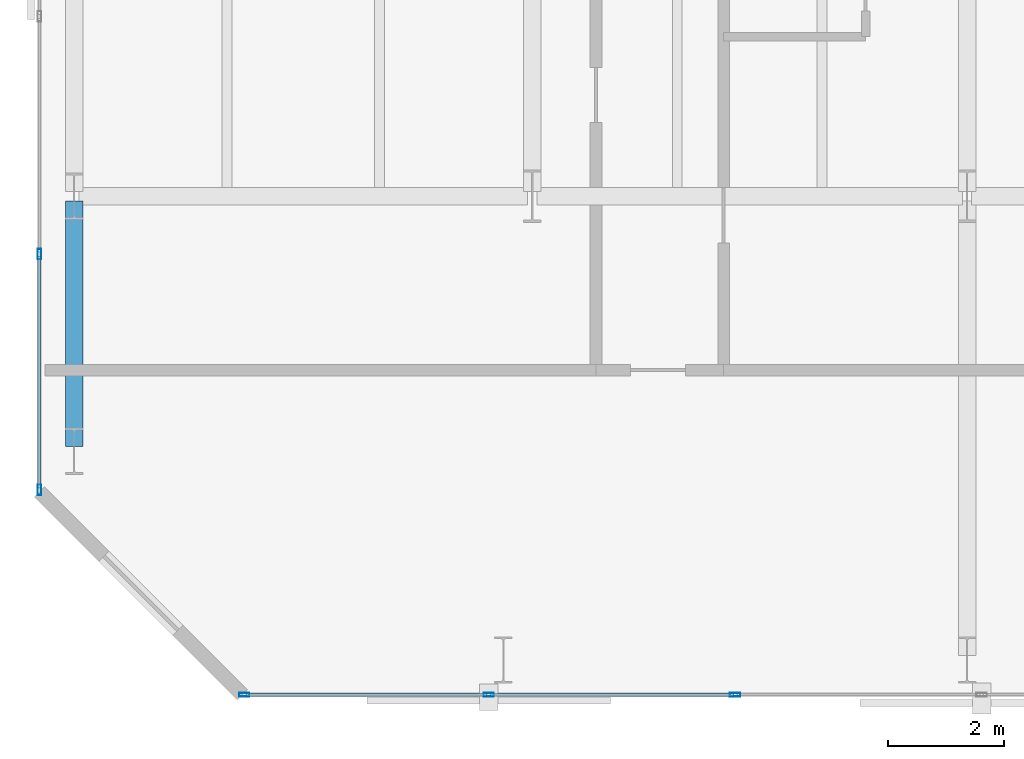
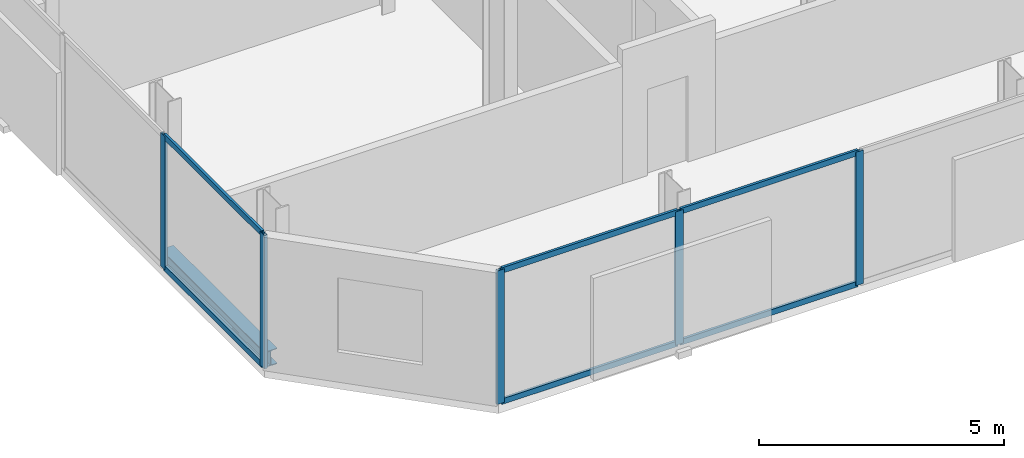
# One storey, part 3 of 33: 11 members, 1 beam, 2 elements without a shape of their own.
"""IFC4 building model written with IfcOpenShell, lengths in metres."""

from ifc_helpers import new_model, si_unit, direction, frame, origin, origin_2d, place, context, subcontext, project, spatial, hollow_rectangle, i_section, extrude, material, layer, layer_set, material_profile, profile_set, type_object, element, aggregate, save


model = new_model("IFC4")

# Units and contexts
model_context = context("Model", 3, precision=1e-05, world=origin(), true_north=direction((0.0, 1.0)))
body_context = subcontext(model_context, "Body", "Model", "MODEL_VIEW")
ifc_project = project(units=[si_unit("LENGTHUNIT", "METRE"), si_unit("AREAUNIT", "SQUARE_METRE"), si_unit("VOLUMEUNIT", "CUBIC_METRE"), si_unit("PLANEANGLEUNIT", "RADIAN"), si_unit("MASSUNIT", "GRAM", prefix="KILO")], contexts=[model_context])

# Site, building, storey
site_placement = place(None, origin())
site = spatial("IfcSite", under=ifc_project, at=site_placement, CompositionType="ELEMENT")
building_placement = place(site_placement, origin())
building = spatial("IfcBuilding", under=site, at=building_placement, Name="Catumbela Crestline Tower", CompositionType="ELEMENT")
storey_placement = place(building_placement, frame((0.0, 0.0, 58.2)))
storey = spatial("IfcBuildingStorey", under=building, at=storey_placement, Name="L14", CompositionType="ELEMENT", Elevation=58.2)

# Curtain wall, members
ifc_material_1 = material(Name="Aluminium alloy AW-6060-T66", Category="aluminium")
ifc_layer = layer(ifc_material_1, 0.18, Name="Aluminium alloy AW-6060-T66")
ifc_layer_set = layer_set([ifc_layer], Name="Aluminium alloy AW-6060-T66")
curtain_wall_type = type_object("IfcCurtainWallType", Name="CWU-Z1", PredefinedType="USERDEFINED", material=ifc_layer_set)
curtain_wall_1_placement = place(storey_placement, origin())
curtain_wall_1 = element("IfcCurtainWall", 1, at=curtain_wall_1_placement, inside=storey, type_object=curtain_wall_type, Name="L14 Unitised Curtain Wall CW-L14-E0S1", ObjectType="UNITISED", PredefinedType="USERDEFINED")
ifc_material_profile_1 = material_profile(ifc_material_1, hollow_rectangle(XDim=0.065, YDim=0.18, WallThickness=0.004, at=origin_2d()), Name="ALU 180x65x4")
ifc_profile_set_1 = profile_set([ifc_material_profile_1], Name="Aluminium alloy AW-6060-T66")
member_type_1 = type_object("IfcMemberType", Name="MUL-180X65", PredefinedType="MULLION", material=ifc_profile_set_1)
member_1_placement = place(storey_placement, frame((3.5325, 0.0, 0.0), z_axis=(0.0, 0.0, 1.0), x_axis=(0.0, 1.0, 0.0)))
member_1 = element("IfcMember", 2, at=member_1_placement, type_object=member_type_1, Name="CWU-Z1 mullion 1", PredefinedType="MULLION", context=body_context, shape_type="SweptSolid", body=[
    extrude(hollow_rectangle(XDim=0.065, YDim=0.18, WallThickness=0.004, at=origin_2d()), origin(), (0.0, 0.0, 1.0), 3.33),
])
member_2_placement = place(storey_placement, frame((7.75, 0.0, 0.0), z_axis=(0.0, 0.0, 1.0), x_axis=(0.0, 1.0, 0.0)))
member_2 = element("IfcMember", 3, at=member_2_placement, type_object=member_type_1, Name="CWU-Z1 mullion 2", PredefinedType="MULLION", context=body_context, shape_type="SweptSolid", body=[
    extrude(hollow_rectangle(XDim=0.065, YDim=0.18, WallThickness=0.004, at=origin_2d()), origin(), (0.0, 0.0, 1.0), 3.33),
])
member_3_placement = place(storey_placement, frame((12.0, 0.0, 0.0), z_axis=(0.0, 0.0, 1.0), x_axis=(0.0, 1.0, 0.0)))
member_3 = element("IfcMember", 4, at=member_3_placement, type_object=member_type_1, Name="CWU-Z1 mullion 3", PredefinedType="MULLION", context=body_context, shape_type="SweptSolid", body=[
    extrude(hollow_rectangle(XDim=0.065, YDim=0.18, WallThickness=0.004, at=origin_2d()), origin(), (0.0, 0.0, 1.0), 3.33),
])

curtain_wall_2_placement = place(storey_placement, origin())
curtain_wall_2 = element("IfcCurtainWall", 5, at=curtain_wall_2_placement, inside=storey, type_object=curtain_wall_type, Name="L14 Unitised Curtain Wall CW-L14-E9S1", ObjectType="UNITISED", PredefinedType="USERDEFINED")
member_4_placement = place(storey_placement, frame((0.0, 7.6, 0.0), z_axis=(0.0, 0.0, 1.0), x_axis=(1.0, 0.0, 0.0)))
member_4 = element("IfcMember", 6, at=member_4_placement, type_object=member_type_1, Name="CWU-Z1 mullion 10", PredefinedType="MULLION", context=body_context, shape_type="SweptSolid", body=[
    extrude(hollow_rectangle(XDim=0.065, YDim=0.18, WallThickness=0.004, at=origin_2d()), origin(), (0.0, 0.0, 1.0), 3.33),
])
member_5_placement = place(storey_placement, frame((0.0, 3.5325, 0.0), z_axis=(0.0, 0.0, 1.0), x_axis=(1.0, 0.0, 0.0)))
member_5 = element("IfcMember", 7, at=member_5_placement, type_object=member_type_1, Name="CWU-Z1 mullion 11", PredefinedType="MULLION", context=body_context, shape_type="SweptSolid", body=[
    extrude(hollow_rectangle(XDim=0.065, YDim=0.18, WallThickness=0.004, at=origin_2d()), origin(), (0.0, 0.0, 1.0), 3.33),
])

# Beam
ifc_material_2 = material(Name="Structural steel S355J2", Category="steel")
ifc_material_profile_2 = material_profile(ifc_material_2, i_section(OverallWidth=0.3, OverallDepth=0.39, WebThickness=0.011, FlangeThickness=0.019, FilletRadius=0.027, at=origin_2d()), Name="HEA 400")
ifc_profile_set_2 = profile_set([ifc_material_profile_2], Name="Structural steel S355J2")
beam_type = type_object("IfcBeamType", Name="BS-HEA400", PredefinedType="SPANDREL", material=ifc_profile_set_2)
beam_placement = place(storey_placement, frame((0.6, 4.28, -0.455), z_axis=(0.0, 1.0, 0.0), x_axis=(-1.0, 0.0, 0.0)))
element("IfcBeam", 8, at=beam_placement, inside=storey, type_object=beam_type, Name="L14 Spandrel SP-L14-WNS57", PredefinedType="SPANDREL", context=body_context, shape_type="SweptSolid", body=[
    extrude(i_section(OverallWidth=0.3, OverallDepth=0.39, WebThickness=0.011, FlangeThickness=0.019, FilletRadius=0.027, at=origin_2d()), origin(), (0.0, 0.0, 1.0), 4.24),
])

# Member
ifc_material_profile_3 = material_profile(ifc_material_1, hollow_rectangle(XDim=0.06, YDim=0.14, WallThickness=0.004, at=origin_2d()), Name="ALU 140x60x4")
ifc_profile_set_3 = profile_set([ifc_material_profile_3], Name="Aluminium alloy AW-6060-T66")
member_type_2 = type_object("IfcMemberType", Name="TRN-140X60", PredefinedType="USERDEFINED", material=ifc_profile_set_3)
member_6_placement = place(storey_placement, frame((3.565, 0.0, 0.03), z_axis=(1.0, 0.0, 0.0), x_axis=(0.0, 1.0, 0.0)))
member_6 = element("IfcMember", 9, at=member_6_placement, type_object=member_type_2, Name="CWU-Z1 transom 1.1", ObjectType="TRANSOM", PredefinedType="USERDEFINED", context=body_context, shape_type="SweptSolid", body=[
    extrude(hollow_rectangle(XDim=0.06, YDim=0.14, WallThickness=0.004, at=origin_2d()), origin(), (0.0, 0.0, 1.0), 4.1525),
])

member_7_placement = place(storey_placement, frame((3.565, 0.0, 3.3), z_axis=(1.0, 0.0, 0.0), x_axis=(0.0, 1.0, 0.0)))
member_7 = element("IfcMember", 10, at=member_7_placement, type_object=member_type_2, Name="CWU-Z1 transom 1.2", ObjectType="TRANSOM", PredefinedType="USERDEFINED", context=body_context, shape_type="SweptSolid", body=[
    extrude(hollow_rectangle(XDim=0.06, YDim=0.14, WallThickness=0.004, at=origin_2d()), origin(), (0.0, 0.0, 1.0), 4.1525),
])

member_8_placement = place(storey_placement, frame((7.7825, 0.0, 0.03), z_axis=(1.0, 0.0, 0.0), x_axis=(0.0, 1.0, 0.0)))
member_8 = element("IfcMember", 11, at=member_8_placement, type_object=member_type_2, Name="CWU-Z1 transom 2.1", ObjectType="TRANSOM", PredefinedType="USERDEFINED", context=body_context, shape_type="SweptSolid", body=[
    extrude(hollow_rectangle(XDim=0.06, YDim=0.14, WallThickness=0.004, at=origin_2d()), origin(), (0.0, 0.0, 1.0), 4.185),
])

member_9_placement = place(storey_placement, frame((7.7825, 0.0, 3.3), z_axis=(1.0, 0.0, 0.0), x_axis=(0.0, 1.0, 0.0)))
member_9 = element("IfcMember", 12, at=member_9_placement, type_object=member_type_2, Name="CWU-Z1 transom 2.2", ObjectType="TRANSOM", PredefinedType="USERDEFINED", context=body_context, shape_type="SweptSolid", body=[
    extrude(hollow_rectangle(XDim=0.06, YDim=0.14, WallThickness=0.004, at=origin_2d()), origin(), (0.0, 0.0, 1.0), 4.185),
])

aggregate(curtain_wall_1, [member_1, member_2, member_3, member_6, member_7, member_8, member_9])

member_10_placement = place(storey_placement, frame((0.0, 7.5675, 0.03), z_axis=(0.0, -1.0, 0.0), x_axis=(1.0, 0.0, 0.0)))
member_10 = element("IfcMember", 13, at=member_10_placement, type_object=member_type_2, Name="CWU-Z1 transom 10.1", ObjectType="TRANSOM", PredefinedType="USERDEFINED", context=body_context, shape_type="SweptSolid", body=[
    extrude(hollow_rectangle(XDim=0.06, YDim=0.14, WallThickness=0.004, at=origin_2d()), origin(), (0.0, 0.0, 1.0), 4.0025),
])

member_11_placement = place(storey_placement, frame((0.0, 7.5675, 3.3), z_axis=(0.0, -1.0, 0.0), x_axis=(1.0, 0.0, 0.0)))
member_11 = element("IfcMember", 14, at=member_11_placement, type_object=member_type_2, Name="CWU-Z1 transom 10.2", ObjectType="TRANSOM", PredefinedType="USERDEFINED", context=body_context, shape_type="SweptSolid", body=[
    extrude(hollow_rectangle(XDim=0.06, YDim=0.14, WallThickness=0.004, at=origin_2d()), origin(), (0.0, 0.0, 1.0), 4.0025),
])

aggregate(curtain_wall_2, [member_4, member_5, member_10, member_11])

save(model, "model.ifc")
